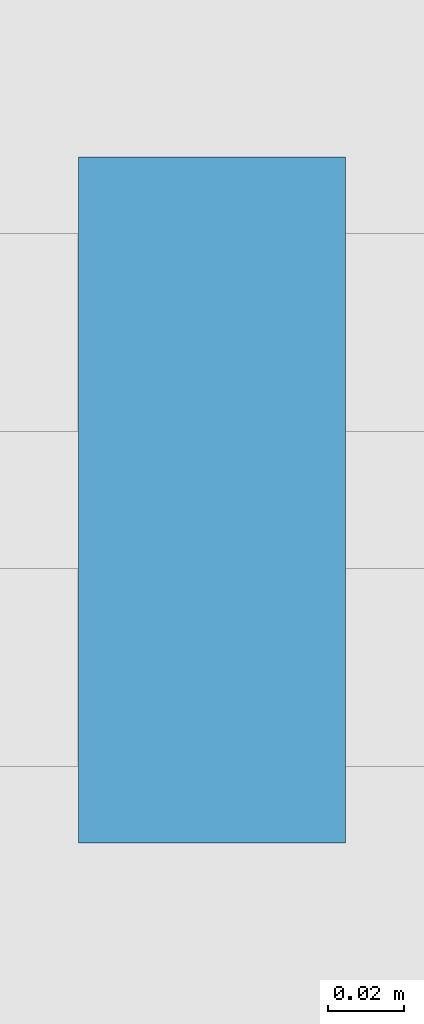
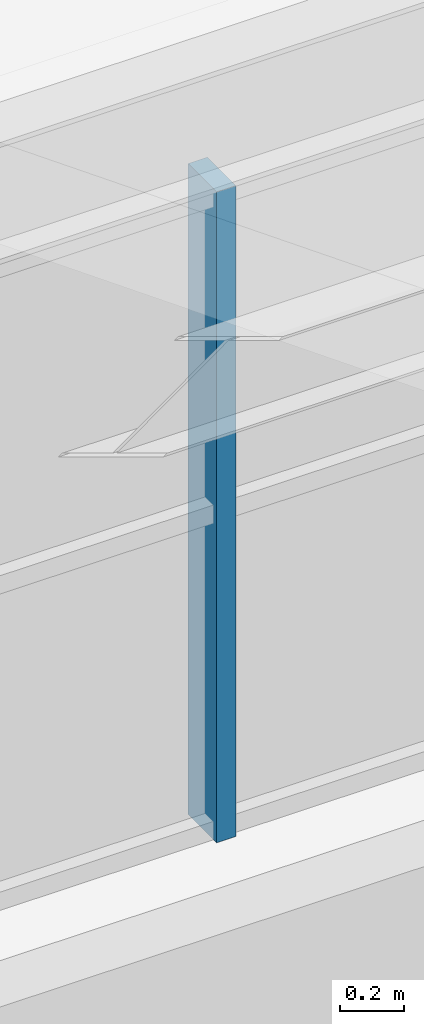
# One storey, part 44 of 92: 1 member, 1 element without a shape of its own.
"""IFC4 building model written with IfcOpenShell, lengths in metres."""

from ifc_helpers import new_model, si_unit, direction, frame, origin, origin_2d, place, context, subcontext, project, spatial, rectangle, extrude, material, material_profile, profile_set, type_object, element, aggregate, save


model = new_model("IFC4")

# Units and contexts
model_context = context("Model", 3, precision=1e-05, world=origin(), true_north=direction((0.0, 1.0)))
body_context = subcontext(model_context, "Body", "Model", "MODEL_VIEW")
ifc_project = project(units=[si_unit("LENGTHUNIT", "METRE"), si_unit("AREAUNIT", "SQUARE_METRE"), si_unit("VOLUMEUNIT", "CUBIC_METRE"), si_unit("PLANEANGLEUNIT", "RADIAN"), si_unit("MASSUNIT", "GRAM", prefix="KILO")], contexts=[model_context])

# Site, building, storey
site_placement = place(None, origin())
site = spatial("IfcSite", under=ifc_project, at=site_placement, CompositionType="ELEMENT")
building_placement = place(site_placement, origin())
building = spatial("IfcBuilding", under=site, at=building_placement, Name="Ciguamira Faculty of Natural Sciences", CompositionType="ELEMENT")
storey_placement = place(building_placement, frame((0.0, 0.0, 16.800048828125)))
storey = spatial("IfcBuildingStorey", under=building, at=storey_placement, Name="L04", CompositionType="ELEMENT", Elevation=16.800048828125)

# Curtain wall, member
ifc_material_1 = material(Name="Anodized aluminium curtain wall", Category="aluminium")
curtain_wall_type = type_object("IfcCurtainWallType", Name="CurtainWall_CW-07", PredefinedType="USERDEFINED", material=ifc_material_1)
curtain_wall_placement = place(storey_placement, origin())
curtain_wall = element("IfcCurtainWall", 1, at=curtain_wall_placement, inside=storey, type_object=curtain_wall_type, Name="V4 north-light wave 5 clerestory glazing 1", ObjectType="UNITISED CURTAIN WALL", PredefinedType="USERDEFINED")
ifc_material_2 = material(Name="Anodized aluminium mullion", Category="aluminium")
ifc_material_profile = material_profile(ifc_material_2, rectangle(XDim=0.070068359375, YDim=0.179931640625, at=origin_2d()), Name="ALU-MUL-70X180")
ifc_profile_set = profile_set([ifc_material_profile], Name="Anodized aluminium mullion")
member_type = type_object("IfcMemberType", Name="CWMullion_CWM-02", PredefinedType="MULLION", material=ifc_profile_set)
member_placement = place(storey_placement, frame((88.08154296875, 80.0, 0.25), z_axis=(0.0, 0.0, 1.0), x_axis=(1.0, 0.0, 0.0)))
member = element("IfcMember", 2, at=member_placement, type_object=member_type, Name="CW-07 mullion 15", PredefinedType="MULLION", context=body_context, shape_type="SweptSolid", body=[
    extrude(rectangle(XDim=0.070068359375, YDim=0.179931640625, at=origin_2d()), origin(), (0.0, 0.0, 1.0), 2.5),
])
aggregate(curtain_wall, [member])

save(model, "model.ifc")
